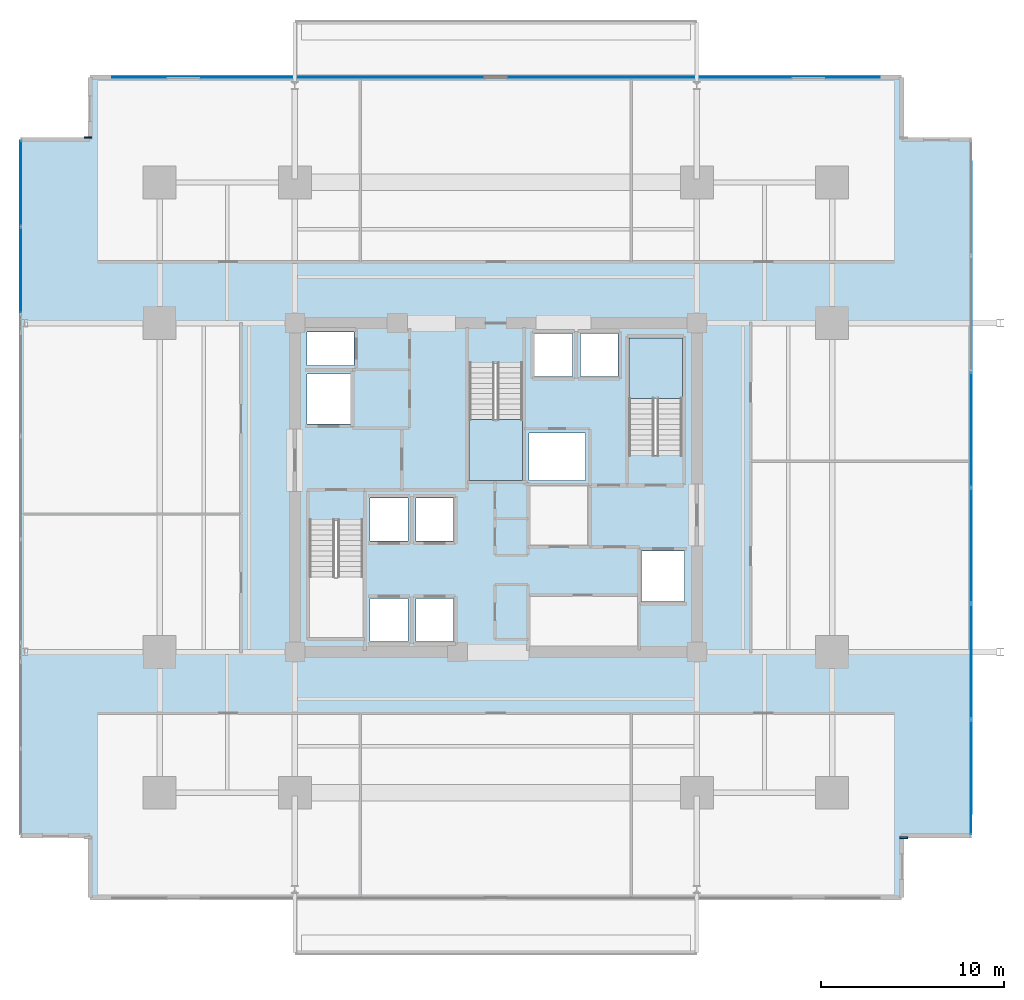
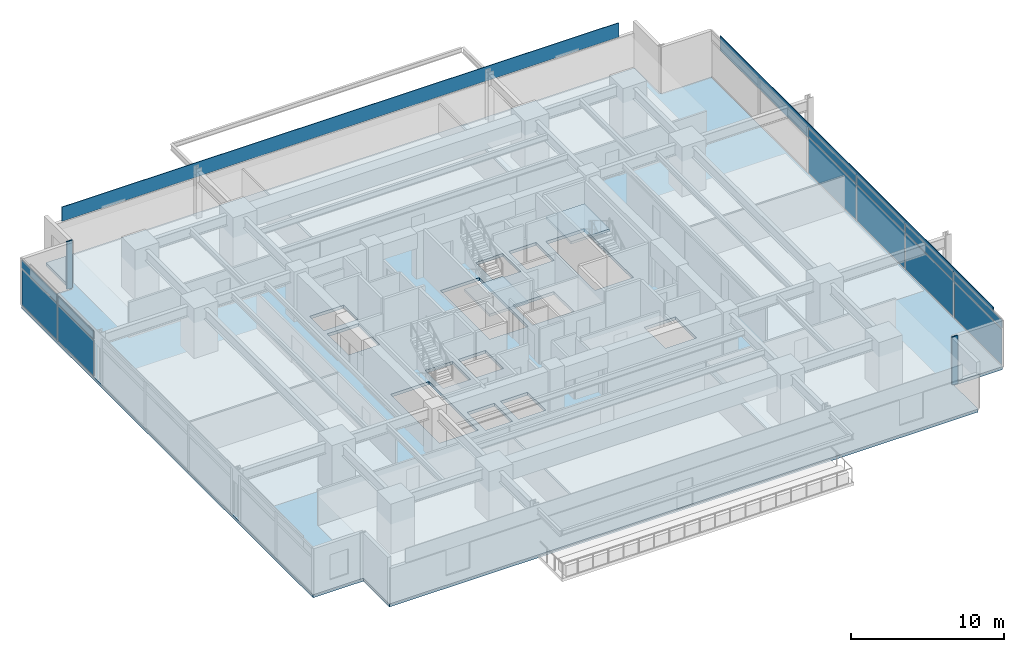
# One storey, part 15 of 25: 16 plates, 3 slabs, 4 elements without a shape of their own.
"""IFC4 building model written with IfcOpenShell, lengths in metres."""

from ifc_helpers import new_model, si_unit, direction, frame, origin, origin_2d, place, context, subcontext, project, spatial, polyline, rectangle, outline, extrude, material, layer, layer_set, type_object, element, aggregate, save


model = new_model("IFC4")

# Units and contexts
model_context = context("Model", 3, precision=1e-05, world=origin(), true_north=direction((0.0, 1.0)))
body_context = subcontext(model_context, "Body", "Model", "MODEL_VIEW")
ifc_project = project(units=[si_unit("LENGTHUNIT", "METRE"), si_unit("AREAUNIT", "SQUARE_METRE"), si_unit("VOLUMEUNIT", "CUBIC_METRE"), si_unit("PLANEANGLEUNIT", "RADIAN"), si_unit("MASSUNIT", "GRAM", prefix="KILO")], contexts=[model_context])

# Site, building, storey
site_placement = place(None, origin())
site = spatial("IfcSite", under=ifc_project, at=site_placement, CompositionType="ELEMENT")
building_placement = place(site_placement, origin())
building = spatial("IfcBuilding", under=site, at=building_placement, Name="Kovane Verandah Tower", CompositionType="ELEMENT")
storey_placement = place(building_placement, frame((0.0, 0.0, 67.60009765625)))
storey = spatial("IfcBuildingStorey", under=building, at=storey_placement, Name="L15", CompositionType="ELEMENT", Elevation=67.60009765625)

# Curtain wall, plates
ifc_material_1 = material(Name="Champagne Anodised Aluminium Frame with Low-E Clear Laminated Glass", Category="aluminium")
curtain_wall_type = type_object("IfcCurtainWallType", Name="CW-SYS-02-LOW", PredefinedType="NOTDEFINED", material=ifc_material_1)
curtain_wall_1_placement = place(storey_placement, origin())
curtain_wall_1 = element("IfcCurtainWall", 1, at=curtain_wall_1_placement, inside=storey, type_object=curtain_wall_type, Name="L15 E Unitised Curtain Wall", PredefinedType="NOTDEFINED")
ifc_material_2 = material(Name="Pale Champagne Anodised Aluminium Insulated Spandrel", Category="aluminium")
ifc_layer_1 = layer(ifc_material_2, 0.0400390625)
ifc_layer_set_1 = layer_set([ifc_layer_1], Name="Pale Champagne Anodised Aluminium Insulated Spandrel")
plate_type_1 = type_object("IfcPlateType", Name="PL-CW-SPD-40", PredefinedType="SHEET", material=ifc_layer_set_1)
plate_1_placement = place(storey_placement, frame((66.001220703125, 11.6328125, 3.02978515625), z_axis=(0.0, 0.0, 1.0), x_axis=(0.0, 1.0, 0.0)))
plate_1 = element("IfcPlate", 2, at=plate_1_placement, type_object=plate_type_1, Name="L15 E Unitised Curtain Wall Spandrel Panel 1", PredefinedType="SHEET", context=body_context, shape_type="SweptSolid", body=[
    extrude(rectangle(XDim=6.206787109375, YDim=0.0400390625, at=origin_2d()), origin(), (0.0, 0.0, 1.0), 0.639892578125),
])
plate_2_placement = place(storey_placement, frame((66.001220703125, 17.9794921875, 3.02978515625), z_axis=(0.0, 0.0, 1.0), x_axis=(0.0, 1.0, 0.0)))
plate_2 = element("IfcPlate", 3, at=plate_2_placement, type_object=plate_type_1, Name="L15 E Unitised Curtain Wall Spandrel Panel 2", PredefinedType="SHEET", context=body_context, shape_type="SweptSolid", body=[
    extrude(rectangle(XDim=6.206787109375, YDim=0.0400390625, at=origin_2d()), origin(), (0.0, 0.0, 1.0), 0.639892578125),
])
plate_3_placement = place(storey_placement, frame((66.001220703125, 24.326416015625, 3.02978515625), z_axis=(0.0, 0.0, 1.0), x_axis=(0.0, 1.0, 0.0)))
plate_3 = element("IfcPlate", 4, at=plate_3_placement, type_object=plate_type_1, Name="L15 E Unitised Curtain Wall Spandrel Panel 3", PredefinedType="SHEET", context=body_context, shape_type="SweptSolid", body=[
    extrude(rectangle(XDim=6.206787109375, YDim=0.0400390625, at=origin_2d()), origin(), (0.0, 0.0, 1.0), 0.639892578125),
])
plate_4_placement = place(storey_placement, frame((66.001220703125, 30.673583984375, 3.02978515625), z_axis=(0.0, 0.0, 1.0), x_axis=(0.0, 1.0, 0.0)))
plate_4 = element("IfcPlate", 5, at=plate_4_placement, type_object=plate_type_1, Name="L15 E Unitised Curtain Wall Spandrel Panel 4", PredefinedType="SHEET", context=body_context, shape_type="SweptSolid", body=[
    extrude(rectangle(XDim=6.206787109375, YDim=0.0400390625, at=origin_2d()), origin(), (0.0, 0.0, 1.0), 0.639892578125),
])

curtain_wall_2_placement = place(storey_placement, origin())
curtain_wall_2 = element("IfcCurtainWall", 6, at=curtain_wall_2_placement, inside=storey, type_object=curtain_wall_type, Name="L15 W Unitised Curtain Wall-1", PredefinedType="NOTDEFINED")
plate_5_placement = place(storey_placement, frame((13.998779296875, 44.16064453125, 3.02978515625), z_axis=(0.0, 0.0, 1.0), x_axis=(0.0, -1.0, 0.0)))
plate_5 = element("IfcPlate", 7, at=plate_5_placement, type_object=plate_type_1, Name="L15 W Unitised Curtain Wall-1 Spandrel Panel 1", PredefinedType="SHEET", context=body_context, shape_type="SweptSolid", body=[
    extrude(rectangle(XDim=4.620361328125, YDim=0.0400390625, at=origin_2d()), origin(), (0.0, 0.0, 1.0), 0.639892578125),
])
plate_6_placement = place(storey_placement, frame((13.998779296875, 39.400146484375, 3.02978515625), z_axis=(0.0, 0.0, 1.0), x_axis=(0.0, -1.0, 0.0)))
plate_6 = element("IfcPlate", 8, at=plate_6_placement, type_object=plate_type_1, Name="L15 W Unitised Curtain Wall-1 Spandrel Panel 2", PredefinedType="SHEET", context=body_context, shape_type="SweptSolid", body=[
    extrude(rectangle(XDim=4.620361328125, YDim=0.0400390625, at=origin_2d()), origin(), (0.0, 0.0, 1.0), 0.639892578125),
])

# Plate
ifc_material_3 = material(Name="Clear Low-E Laminated Double Glazing", Category="glass")
ifc_layer_2 = layer(ifc_material_3, 0.031982421875)
ifc_layer_set_2 = layer_set([ifc_layer_2], Name="Clear Low-E Laminated Double Glazing")
plate_type_2 = type_object("IfcPlateType", Name="PL-CW-VIS-32", PredefinedType="CURTAIN_PANEL", material=ifc_layer_set_2)
plate_7_placement = place(storey_placement, frame((66.001220703125, 11.6328125, 0.099853515625), z_axis=(0.0, 0.0, 1.0), x_axis=(0.0, 1.0, 0.0)))
plate_7 = element("IfcPlate", 9, at=plate_7_placement, type_object=plate_type_2, Name="L15 E Unitised Curtain Wall Vision Panel 1", PredefinedType="CURTAIN_PANEL", context=body_context, shape_type="SweptSolid", body=[
    extrude(rectangle(XDim=6.206787109375, YDim=0.031982421875, at=origin_2d()), origin(), (0.0, 0.0, 1.0), 2.830078125),
])

plate_8_placement = place(storey_placement, frame((66.001220703125, 17.9794921875, 0.099853515625), z_axis=(0.0, 0.0, 1.0), x_axis=(0.0, 1.0, 0.0)))
plate_8 = element("IfcPlate", 10, at=plate_8_placement, type_object=plate_type_2, Name="L15 E Unitised Curtain Wall Vision Panel 2", PredefinedType="CURTAIN_PANEL", context=body_context, shape_type="SweptSolid", body=[
    extrude(rectangle(XDim=6.206787109375, YDim=0.031982421875, at=origin_2d()), origin(), (0.0, 0.0, 1.0), 2.830078125),
])

plate_9_placement = place(storey_placement, frame((66.001220703125, 24.326416015625, 0.099853515625), z_axis=(0.0, 0.0, 1.0), x_axis=(0.0, 1.0, 0.0)))
plate_9 = element("IfcPlate", 11, at=plate_9_placement, type_object=plate_type_2, Name="L15 E Unitised Curtain Wall Vision Panel 3", PredefinedType="CURTAIN_PANEL", context=body_context, shape_type="SweptSolid", body=[
    extrude(rectangle(XDim=6.206787109375, YDim=0.031982421875, at=origin_2d()), origin(), (0.0, 0.0, 1.0), 2.830078125),
])

plate_10_placement = place(storey_placement, frame((66.001220703125, 30.673583984375, 0.099853515625), z_axis=(0.0, 0.0, 1.0), x_axis=(0.0, 1.0, 0.0)))
plate_10 = element("IfcPlate", 12, at=plate_10_placement, type_object=plate_type_2, Name="L15 E Unitised Curtain Wall Vision Panel 4", PredefinedType="CURTAIN_PANEL", context=body_context, shape_type="SweptSolid", body=[
    extrude(rectangle(XDim=6.206787109375, YDim=0.031982421875, at=origin_2d()), origin(), (0.0, 0.0, 1.0), 2.830078125),
])

aggregate(curtain_wall_1, [plate_7, plate_1, plate_8, plate_2, plate_9, plate_3, plate_10, plate_4])

plate_11_placement = place(storey_placement, frame((13.998779296875, 44.16064453125, 0.099853515625), z_axis=(0.0, 0.0, 1.0), x_axis=(0.0, -1.0, 0.0)))
plate_11 = element("IfcPlate", 13, at=plate_11_placement, type_object=plate_type_2, Name="L15 W Unitised Curtain Wall-1 Vision Panel 1", PredefinedType="CURTAIN_PANEL", context=body_context, shape_type="SweptSolid", body=[
    extrude(rectangle(XDim=4.620361328125, YDim=0.031982421875, at=origin_2d()), origin(), (0.0, 0.0, 1.0), 2.830078125),
])

plate_12_placement = place(storey_placement, frame((13.998779296875, 39.400146484375, 0.099853515625), z_axis=(0.0, 0.0, 1.0), x_axis=(0.0, -1.0, 0.0)))
plate_12 = element("IfcPlate", 14, at=plate_12_placement, type_object=plate_type_2, Name="L15 W Unitised Curtain Wall-1 Vision Panel 2", PredefinedType="CURTAIN_PANEL", context=body_context, shape_type="SweptSolid", body=[
    extrude(rectangle(XDim=4.620361328125, YDim=0.031982421875, at=origin_2d()), origin(), (0.0, 0.0, 1.0), 2.830078125),
])

aggregate(curtain_wall_2, [plate_11, plate_5, plate_12, plate_6])

# Plates
ifc_material_4 = material(Name="Timber-Toned Subtropical Aluminium Vertical Blade", Category="wood")
ifc_layer_3 = layer(ifc_material_4, 0.090087890625)
ifc_layer_set_3 = layer_set([ifc_layer_3], Name="Timber-Toned Subtropical Aluminium Vertical Blade")
plate_type_3 = type_object("IfcPlateType", Name="PL-FIN-90", PredefinedType="USERDEFINED", material=ifc_layer_set_3)
for number, where, z_axis, x_axis, name in (
    (15, (62.321044921875, 8.339111328125, -0.02001953125), (0.0, 0.0, 1.0), (1.0, 0.0, 0.0), "L15 SE Timber-Toned Vertical Corner Fin"),
    (16, (17.678955078125, 46.660888671875, -0.02001953125), (0.0, 0.0, 1.0), (1.0, 0.0, 0.0), "L15 NW Timber-Toned Vertical Corner Fin"),
):
    element("IfcPlate", number, at=place(storey_placement, frame(where, z_axis=z_axis, x_axis=x_axis)), inside=storey, type_object=plate_type_3, Name=name, ObjectType="FIN", PredefinedType="USERDEFINED", context=body_context, shape_type="SweptSolid", body=[
        extrude(rectangle(XDim=0.419921875, YDim=0.090087890625, at=origin_2d()), origin(), (0.0, 0.0, 1.0), 3.820068359375),
    ])
ifc_material_5 = material(Name="Perforated Pale Champagne Anodised Aluminium Solar Screen", Category="aluminium")
ifc_layer_4 = layer(ifc_material_5, 0.050048828125)
ifc_layer_set_4 = layer_set([ifc_layer_4], Name="Perforated Pale Champagne Anodised Aluminium Solar Screen")
plate_type_4 = type_object("IfcPlateType", Name="PL-SCREEN-50", PredefinedType="USERDEFINED", material=ifc_layer_set_4)
plate_13_placement = place(storey_placement, frame((66.01611328125, 27.5, 2.85986328125), z_axis=(0.0, 0.0, 1.0), x_axis=(0.0, 1.0, 0.0)))
element("IfcPlate", 17, at=plate_13_placement, inside=storey, type_object=plate_type_4, Name="L15 E Perforated Champagne-Gold Solar Screen", ObjectType="SCREEN", PredefinedType="USERDEFINED", context=body_context, shape_type="SweptSolid", body=[
    extrude(rectangle(XDim=35.681884765625, YDim=0.050048828125, at=origin_2d()), origin(), (0.0, 0.0, 1.0), 1.14990234375),
])
plate_14_placement = place(storey_placement, frame((40.0, 49.955810546875, 2.85986328125), z_axis=(0.0, 0.0, 1.0), x_axis=(-1.0, 0.0, 0.0)))
element("IfcPlate", 18, at=plate_14_placement, inside=storey, type_object=plate_type_4, Name="L15 N Perforated Champagne-Gold Solar Screen", ObjectType="SCREEN", PredefinedType="USERDEFINED", context=body_context, shape_type="SweptSolid", body=[
    extrude(rectangle(XDim=42.001953125, YDim=0.050048828125, at=origin_2d()), origin(), (0.0, 0.0, 1.0), 1.14990234375),
])

# Stair, slab
ifc_material_6 = material(Name="Concrete C45/55", Category="concrete")
stair_type = type_object("IfcStairType", Name="ST-CORE-1380", PredefinedType="HALF_TURN_STAIR", material=ifc_material_6)
stair_1_placement = place(storey_placement, origin())
stair_1 = element("IfcStair", 19, at=stair_1_placement, inside=storey, type_object=stair_type, Name="L15 Exit Stair ST-02", PredefinedType="HALF_TURN_STAIR")
ifc_layer_5 = layer(ifc_material_6, 0.199951171875)
ifc_layer_set_5 = layer_set([ifc_layer_5], Name="Concrete C45/55")
slab_type_1 = type_object("IfcSlabType", Name="SL-LAND-200", PredefinedType="LANDING", material=ifc_layer_set_5)
slab_1_placement = place(storey_placement, frame((0.0, 0.0, 1.7998046875)))
slab_1 = element("IfcSlab", 20, at=slab_1_placement, type_object=slab_type_1, Name="ST-02 landing 1", PredefinedType="LANDING", context=body_context, shape_type="SweptSolid", body=[
    extrude(outline(polyline([(50.199951171875, 32.385009765625), (50.199951171875, 35.699951171875), (47.280029296875, 35.699951171875), (47.280029296875, 32.385009765625), (50.199951171875, 32.385009765625)])), origin(), (0.0, 0.0, 1.0), 0.2001953125),
])
aggregate(stair_1, [slab_1])

stair_2_placement = place(storey_placement, origin())
stair_2 = element("IfcStair", 21, at=stair_2_placement, inside=storey, type_object=stair_type, Name="L15 Exit Stair ST-03", PredefinedType="HALF_TURN_STAIR")
slab_2_placement = place(storey_placement, frame((0.0, 0.0, 1.7998046875)))
slab_2 = element("IfcSlab", 22, at=slab_2_placement, type_object=slab_type_1, Name="ST-03 landing 1", PredefinedType="LANDING", context=body_context, shape_type="SweptSolid", body=[
    extrude(outline(polyline([(38.5400390625, 31.215087890625), (38.5400390625, 27.89990234375), (41.4599609375, 27.89990234375), (41.4599609375, 31.215087890625), (38.5400390625, 31.215087890625)])), origin(), (0.0, 0.0, 1.0), 0.2001953125),
])
aggregate(stair_2, [slab_2])

# Slab
ifc_layer_6 = layer(ifc_material_6, 0.239990234375)
ifc_layer_set_6 = layer_set([ifc_layer_6], Name="Concrete C45/55")
slab_type_2 = type_object("IfcSlabType", Name="SL-TYP-240", PredefinedType="FLOOR", material=ifc_layer_set_6)
slab_3_placement = place(storey_placement, frame((0.0, 0.0, -0.239990234375)))
element("IfcSlab", 23, at=slab_3_placement, inside=storey, type_object=slab_type_2, Name="L15 Structural Floor Slab", PredefinedType="FLOOR", context=body_context, shape_type="SweptSolid", body=[
    extrude(outline(polyline([(17.798828125, 5.05908203125), (62.201171875, 5.05908203125), (62.201171875, 8.459228515625), (66.001220703125, 8.459228515625), (66.001220703125, 46.540771484375), (62.201171875, 46.540771484375), (62.201171875, 49.94091796875), (17.798828125, 49.94091796875), (17.798828125, 46.540771484375), (13.998779296875, 46.540771484375), (13.998779296875, 8.459228515625), (17.798828125, 8.459228515625), (17.798828125, 5.05908203125)]), holes=[polyline([(29.800048828125, 19.300048828125), (32.719970703125, 19.300048828125), (32.719970703125, 25.705078125), (29.800048828125, 25.705078125), (29.800048828125, 19.300048828125)]), polyline([(47.280029296875, 29.294921875), (50.199951171875, 29.294921875), (50.199951171875, 35.699951171875), (47.280029296875, 35.699951171875), (47.280029296875, 29.294921875)]), polyline([(38.5400390625, 27.89990234375), (41.4599609375, 27.89990234375), (41.4599609375, 34.304931640625), (38.5400390625, 34.304931640625), (38.5400390625, 27.89990234375)]), polyline([(29.669921875, 30.969970703125), (32.030029296875, 30.969970703125), (32.030029296875, 33.72998046875), (29.669921875, 33.72998046875), (29.669921875, 30.969970703125)]), polyline([(47.969970703125, 21.27001953125), (50.330078125, 21.27001953125), (50.330078125, 24.030029296875), (47.969970703125, 24.030029296875), (47.969970703125, 21.27001953125)]), polyline([(29.669921875, 34.169921875), (32.22998046875, 34.169921875), (32.22998046875, 36.030029296875), (29.669921875, 36.030029296875), (29.669921875, 34.169921875)]), polyline([(33.1201171875, 19.070068359375), (35.179931640625, 19.070068359375), (35.179931640625, 21.429931640625), (33.1201171875, 21.429931640625), (33.1201171875, 19.070068359375)]), polyline([(35.6201171875, 19.070068359375), (37.679931640625, 19.070068359375), (37.679931640625, 21.429931640625), (35.6201171875, 21.429931640625), (35.6201171875, 19.070068359375)]), polyline([(33.1201171875, 24.570068359375), (35.179931640625, 24.570068359375), (35.179931640625, 26.929931640625), (33.1201171875, 26.929931640625), (33.1201171875, 24.570068359375)]), polyline([(35.6201171875, 24.570068359375), (37.679931640625, 24.570068359375), (37.679931640625, 26.929931640625), (35.6201171875, 26.929931640625), (35.6201171875, 24.570068359375)]), polyline([(42.1201171875, 33.570068359375), (44.179931640625, 33.570068359375), (44.179931640625, 35.929931640625), (42.1201171875, 35.929931640625), (42.1201171875, 33.570068359375)]), polyline([(44.6201171875, 33.570068359375), (46.679931640625, 33.570068359375), (46.679931640625, 35.929931640625), (44.6201171875, 35.929931640625), (44.6201171875, 33.570068359375)]), polyline([(41.800048828125, 27.89990234375), (44.89990234375, 27.89990234375), (44.89990234375, 30.5), (41.800048828125, 30.5), (41.800048828125, 27.89990234375)])]), origin(), (0.0, 0.0, 1.0), 0.239990234375),
])

save(model, "model.ifc")
